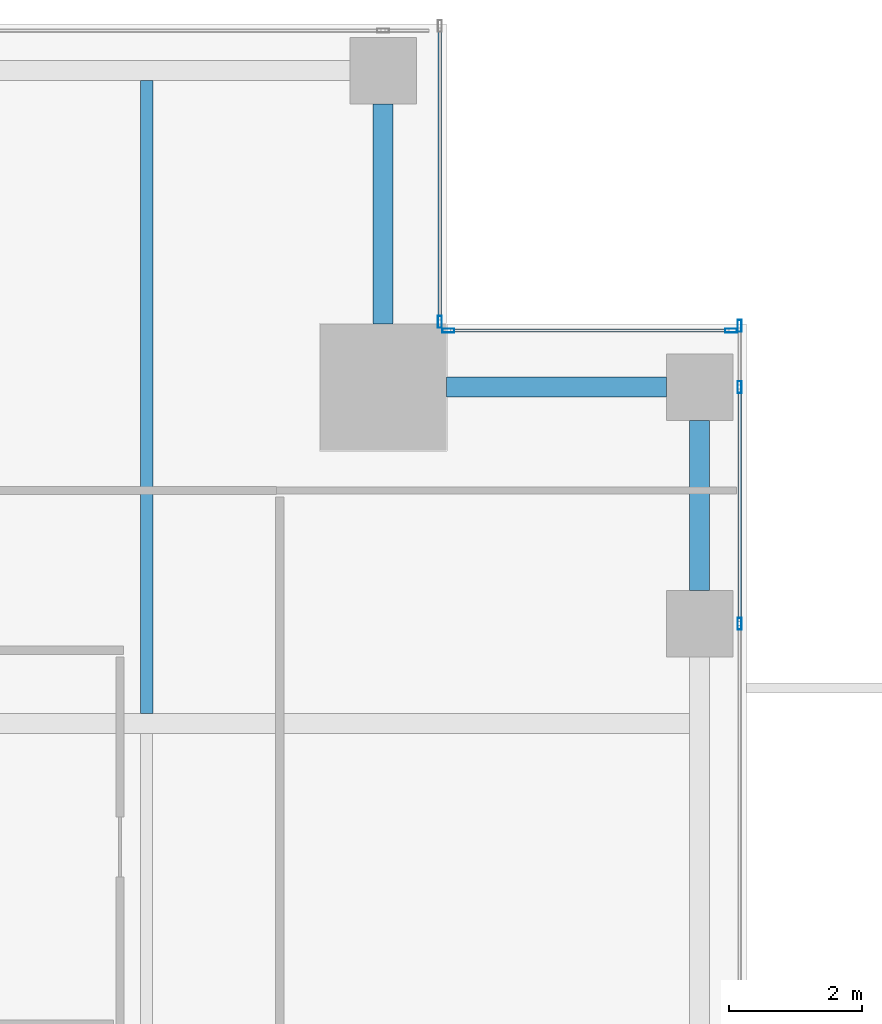
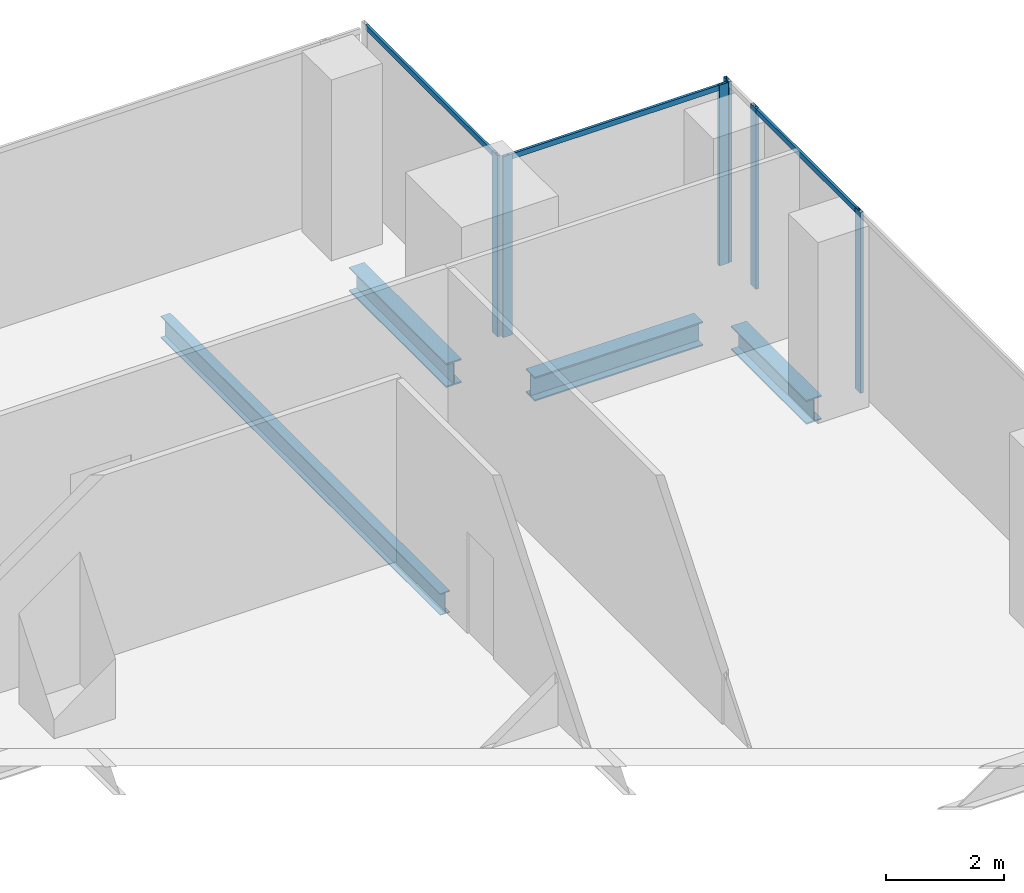
# One storey, part 25 of 40: 9 members, 4 beams, 3 elements without a shape of their own.
"""IFC4 building model written with IfcOpenShell, lengths in metres."""

from ifc_helpers import new_model, si_unit, direction, frame, origin, origin_2d, place, context, subcontext, project, spatial, hollow_rectangle, i_section, extrude, source, transform, mapped, material, material_profile, profile_set, type_object, element, aggregate, save


model = new_model("IFC4")

# Units and contexts
model_context = context("Model", 3, precision=1e-05, world=origin(), true_north=direction((0.0, 1.0)))
body_context = subcontext(model_context, "Body", "Model", "MODEL_VIEW")
ifc_project = project(units=[si_unit("LENGTHUNIT", "METRE"), si_unit("AREAUNIT", "SQUARE_METRE"), si_unit("VOLUMEUNIT", "CUBIC_METRE"), si_unit("PLANEANGLEUNIT", "RADIAN"), si_unit("MASSUNIT", "GRAM", prefix="KILO")], contexts=[model_context])

# Site, building, storey
site_placement = place(None, origin())
site = spatial("IfcSite", under=ifc_project, at=site_placement, CompositionType="ELEMENT")
building_placement = place(site_placement, origin())
building = spatial("IfcBuilding", under=site, at=building_placement, Name="Khomas Fold Tower", CompositionType="ELEMENT")
storey_placement = place(building_placement, frame((0.0, 0.0, 204.699951171875)))
storey = spatial("IfcBuildingStorey", under=building, at=storey_placement, Name="L45", CompositionType="ELEMENT", Elevation=204.699951171875)

# Beams
ifc_material_1 = material(Name="Steel S355", Category="steel")
ifc_material_profile_1 = material_profile(ifc_material_1, i_section(OverallWidth=0.300048828125, OverallDepth=0.5, WebThickness=0.014404296875, FlangeThickness=0.028076171875, at=origin_2d()), Name="HE 500 B")
ifc_profile_set_1 = profile_set([ifc_material_profile_1], Name="Steel S355")
beam_type_1 = type_object("IfcBeamType", Name="HE 500 B spandrel SB3", PredefinedType="SPANDREL", material=ifc_profile_set_1)
shared_shape_1 = source(origin(), body_context, "Body", "SweptSolid", [
    extrude(i_section(OverallWidth=0.300048828125, OverallDepth=0.5, WebThickness=0.014404296875, FlangeThickness=0.028076171875, at=origin_2d()), origin(), (0.0, 0.0, 1.0), 2.550048828125),
])
beam_1_placement = place(storey_placement, frame((50.300048828125, 42.5, -0.5), z_axis=(0.0, 1.0, 0.0), x_axis=(-1.0, 0.0, 0.0)))
element("IfcBeam", 1, at=beam_1_placement, inside=storey, type_object=beam_type_1, Name="SB3", PredefinedType="SPANDREL", context=body_context, shape_type="MappedRepresentation", body=[
    mapped(shared_shape_1, transform((0.0, 0.0, 0.0))),
])
shared_shape_2 = source(origin(), body_context, "Body", "SweptSolid", [
    extrude(i_section(OverallWidth=0.300048828125, OverallDepth=0.5, WebThickness=0.014404296875, FlangeThickness=0.028076171875, at=origin_2d()), origin(), (0.0, 0.0, 1.0), 3.300048828125),
])
for number, where, z_axis, x_axis, name in (
    (2, (46.5, 45.550048828125, -0.5), (1.0, 0.0, 0.0), (0.0, 1.0, 0.0), "SB3"),
    (3, (45.550048828125, 46.5, -0.5), (0.0, 1.0, 0.0), (-1.0, 0.0, 0.0), "SB3"),
):
    element("IfcBeam", number, at=place(storey_placement, frame(where, z_axis=z_axis, x_axis=x_axis)), inside=storey, type_object=beam_type_1, Name=name, PredefinedType="SPANDREL", context=body_context, shape_type="MappedRepresentation", body=[
        mapped(shared_shape_2, transform((0.0, 0.0, 0.0))),
    ])
ifc_material_2 = material(Name="Steel S355", Category="steel")
ifc_material_profile_2 = material_profile(ifc_material_2, i_section(OverallWidth=0.18994140625, OverallDepth=0.449951171875, WebThickness=0.009521484375, FlangeThickness=0.0146484375, at=origin_2d()), Name="IPE 450")
ifc_profile_set_2 = profile_set([ifc_material_profile_2], Name="Steel S355")
beam_type_2 = type_object("IfcBeamType", Name="IPE 450 beam JB4", PredefinedType="BEAM", material=ifc_profile_set_2)
shared_shape_3 = source(origin(), body_context, "Body", "SweptSolid", [
    extrude(i_section(OverallWidth=0.18994140625, OverallDepth=0.449951171875, WebThickness=0.009521484375, FlangeThickness=0.0146484375, at=origin_2d()), origin(), (0.0, 0.0, 1.0), 9.5),
])
beam_2_placement = place(storey_placement, frame((42.0, 40.64990234375, -0.474853515625), z_axis=(0.0, 1.0, 0.0), x_axis=(-1.0, 0.0, 0.0)))
element("IfcBeam", 4, at=beam_2_placement, inside=storey, type_object=beam_type_2, Name="JB4", PredefinedType="BEAM", context=body_context, shape_type="MappedRepresentation", body=[
    mapped(shared_shape_3, transform((0.0, 0.0, 0.0))),
])

# Curtain wall, members
ifc_material_3 = material(Name="Aluminium framed double glazing", Category="aluminium")
curtain_wall_type = type_object("IfcCurtainWallType", Name="SK-Unitised clear-glass wall, office floors CW2", PredefinedType="NOTDEFINED", material=ifc_material_3)
curtain_wall_1_placement = place(storey_placement, origin())
curtain_wall_1 = element("IfcCurtainWall", 5, at=curtain_wall_1_placement, inside=storey, type_object=curtain_wall_type, Name="CW2 run L45 03-1", PredefinedType="NOTDEFINED")
ifc_material_4 = material(Name="Aluminium", Category="aluminium")
ifc_material_profile_3 = material_profile(ifc_material_4, hollow_rectangle(XDim=0.06005859375, YDim=0.179931640625, WallThickness=0.00390625, at=origin_2d()), Name="SK-Unitised clear-glass wall, office floors mullion CW2-M")
ifc_profile_set_3 = profile_set([ifc_material_profile_3], Name="Aluminium")
member_type_1 = type_object("IfcMemberType", Name="SK-Unitised clear-glass wall, office floors mullion CW2-M", PredefinedType="MULLION", material=ifc_profile_set_3)
shared_shape_4 = source(origin(), body_context, "Body", "SweptSolid", [
    extrude(hollow_rectangle(XDim=0.06005859375, YDim=0.179931640625, WallThickness=0.00390625, at=origin_2d()), origin(), (0.0, 0.0, 1.0), 3.75),
])
member_1_placement = place(storey_placement, frame((50.89990234375, 42.0, 0.0), z_axis=(0.0, 0.0, 1.0), x_axis=(-1.0, 0.0, 0.0)))
member_1 = element("IfcMember", 6, at=member_1_placement, type_object=member_type_1, Name="CW2 mullion 4", PredefinedType="MULLION", context=body_context, shape_type="MappedRepresentation", body=[
    mapped(shared_shape_4, transform((0.0, 0.0, 0.0))),
])
member_2_placement = place(storey_placement, frame((50.89990234375, 45.550048828125, 0.0), z_axis=(0.0, 0.0, 1.0), x_axis=(-1.0, 0.0, 0.0)))
member_2 = element("IfcMember", 7, at=member_2_placement, type_object=member_type_1, Name="CW2 mullion 5", PredefinedType="MULLION", context=body_context, shape_type="MappedRepresentation", body=[
    mapped(shared_shape_4, transform((0.0, 0.0, 0.0))),
])
member_3_placement = place(storey_placement, frame((50.89990234375, 46.469970703125, 0.0), z_axis=(0.0, 0.0, 1.0), x_axis=(-1.0, 0.0, 0.0)))
member_3 = element("IfcMember", 8, at=member_3_placement, type_object=member_type_1, Name="CW2 mullion 6", PredefinedType="MULLION", context=body_context, shape_type="MappedRepresentation", body=[
    mapped(shared_shape_4, transform((0.0, 0.0, 0.0))),
])

curtain_wall_2_placement = place(storey_placement, origin())
curtain_wall_2 = element("IfcCurtainWall", 9, at=curtain_wall_2_placement, inside=storey, type_object=curtain_wall_type, Name="CW2 corner return L45 04", PredefinedType="NOTDEFINED")
member_4_placement = place(storey_placement, frame((50.77001953125, 46.39990234375, 0.0), z_axis=(0.0, 0.0, 1.0), x_axis=(0.0, -1.0, 0.0)))
member_4 = element("IfcMember", 10, at=member_4_placement, type_object=member_type_1, Name="CW2 mullion 1", PredefinedType="MULLION", context=body_context, shape_type="MappedRepresentation", body=[
    mapped(shared_shape_4, transform((0.0, 0.0, 0.0))),
])
member_5_placement = place(storey_placement, frame((46.530029296875, 46.39990234375, 0.0), z_axis=(0.0, 0.0, 1.0), x_axis=(0.0, -1.0, 0.0)))
member_5 = element("IfcMember", 11, at=member_5_placement, type_object=member_type_1, Name="CW2 mullion 2", PredefinedType="MULLION", context=body_context, shape_type="MappedRepresentation", body=[
    mapped(shared_shape_4, transform((0.0, 0.0, 0.0))),
])

curtain_wall_3_placement = place(storey_placement, origin())
curtain_wall_3 = element("IfcCurtainWall", 12, at=curtain_wall_3_placement, inside=storey, type_object=curtain_wall_type, Name="CW2 corner return L45 05", PredefinedType="NOTDEFINED")
member_6_placement = place(storey_placement, frame((46.39990234375, 46.530029296875, 0.0), z_axis=(0.0, 0.0, 1.0), x_axis=(-1.0, 0.0, 0.0)))
member_6 = element("IfcMember", 13, at=member_6_placement, type_object=member_type_1, Name="CW2 mullion 1", PredefinedType="MULLION", context=body_context, shape_type="MappedRepresentation", body=[
    mapped(shared_shape_4, transform((0.0, 0.0, 0.0))),
])
ifc_material_5 = material(Name="Aluminium", Category="aluminium")
ifc_material_profile_4 = material_profile(ifc_material_5, hollow_rectangle(XDim=0.050048828125, YDim=0.110107421875, WallThickness=0.00390625, at=origin_2d()), Name="SK-Unitised clear-glass wall, office floors transom CW2-T")
ifc_profile_set_4 = profile_set([ifc_material_profile_4], Name="Aluminium")
member_type_2 = type_object("IfcMemberType", Name="SK-Unitised clear-glass wall, office floors transom CW2-T", PredefinedType="USERDEFINED", material=ifc_profile_set_4)
shared_shape_5 = source(origin(), body_context, "Body", "SweptSolid", [
    extrude(hollow_rectangle(XDim=0.050048828125, YDim=0.110107421875, WallThickness=0.00390625, at=origin_2d()), origin(), (0.0, 0.0, 1.0), 4.3798828125),
])
member_7_placement = place(storey_placement, frame((46.39990234375, 46.56005859375, 3.695068359375), z_axis=(0.0, 1.0, 0.0), x_axis=(-1.0, 0.0, 0.0)))
member_7 = element("IfcMember", 14, at=member_7_placement, type_object=member_type_2, Name="CW2 transom 1", ObjectType="TRANSOM", PredefinedType="USERDEFINED", context=body_context, shape_type="MappedRepresentation", body=[
    mapped(shared_shape_5, transform((0.0, 0.0, 0.0))),
])
aggregate(curtain_wall_3, [member_6, member_7])

# Member
shared_shape_6 = source(origin(), body_context, "Body", "SweptSolid", [
    extrude(hollow_rectangle(XDim=0.050048828125, YDim=0.110107421875, WallThickness=0.00390625, at=origin_2d()), origin(), (0.0, 0.0, 1.0), 3.489990234375),
])
member_8_placement = place(storey_placement, frame((50.89990234375, 42.030029296875, 3.695068359375), z_axis=(0.0, 1.0, 0.0), x_axis=(-1.0, 0.0, 0.0)))
member_8 = element("IfcMember", 15, at=member_8_placement, type_object=member_type_2, Name="CW2 transom 4", ObjectType="TRANSOM", PredefinedType="USERDEFINED", context=body_context, shape_type="MappedRepresentation", body=[
    mapped(shared_shape_6, transform((0.0, 0.0, 0.0))),
])

aggregate(curtain_wall_1, [member_1, member_2, member_3, member_8])

shared_shape_7 = source(origin(), body_context, "Body", "SweptSolid", [
    extrude(hollow_rectangle(XDim=0.050048828125, YDim=0.110107421875, WallThickness=0.00390625, at=origin_2d()), origin(), (0.0, 0.0, 1.0), 4.179931640625),
])
member_9_placement = place(storey_placement, frame((50.739990234375, 46.39990234375, 3.695068359375), z_axis=(-1.0, 0.0, 0.0), x_axis=(0.0, -1.0, 0.0)))
member_9 = element("IfcMember", 16, at=member_9_placement, type_object=member_type_2, Name="CW2 transom 1", ObjectType="TRANSOM", PredefinedType="USERDEFINED", context=body_context, shape_type="MappedRepresentation", body=[
    mapped(shared_shape_7, transform((0.0, 0.0, 0.0))),
])

aggregate(curtain_wall_2, [member_4, member_5, member_9])

save(model, "model.ifc")
